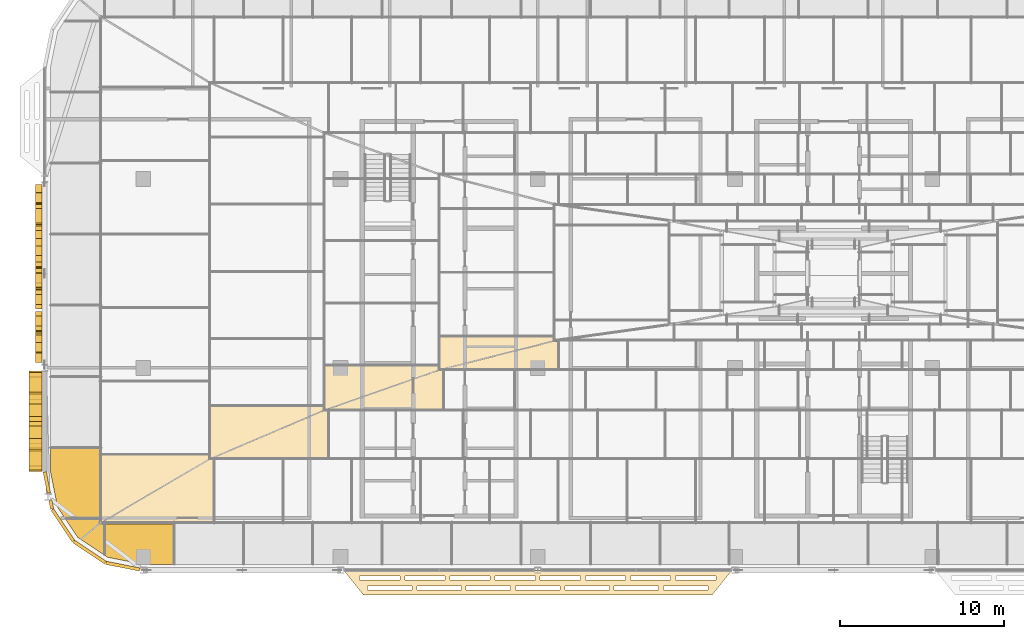
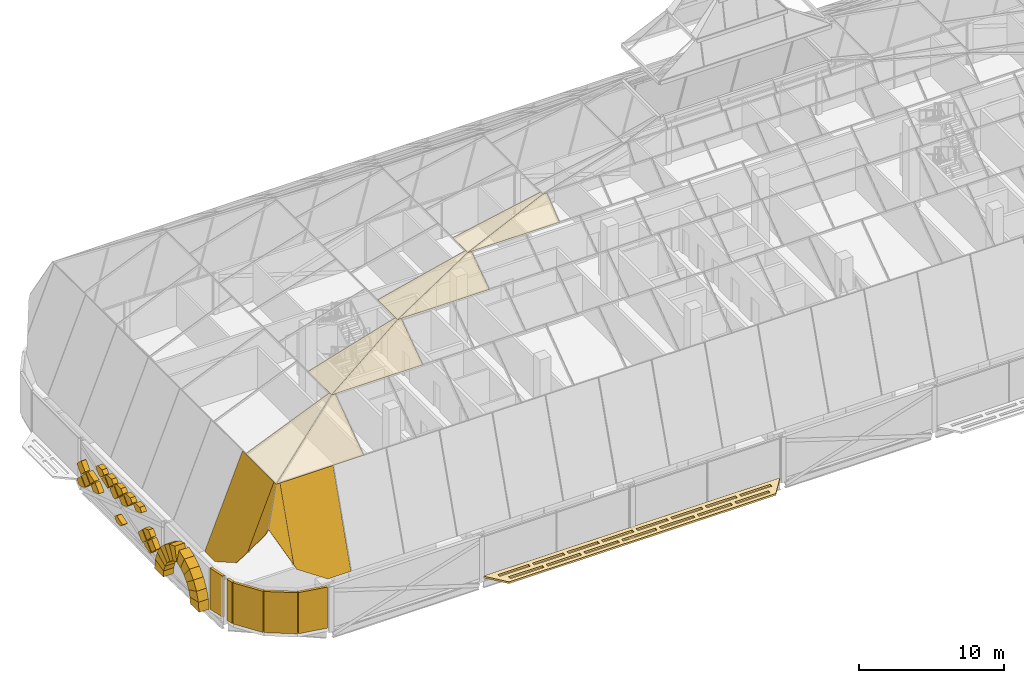
# One storey, part 34 of 39: 48 coverings.
"""IFC4 building model written with IfcOpenShell, lengths in metres."""

import ifcopenshell
import ifcopenshell.guid

model = None  # the IFC model being written
_history = None  # IfcOwnerHistory: only IFC2X3 demands one
_inside = {}  # id of a spatial element -> (the spatial element, [elements in it])
_under = {}  # id of a project, library or spatial element -> (it, [spatial elements below it])
_declared = {}  # id of a project -> (the project, [libraries it declares])
_typed = {}  # id of a type object -> (the type object, [elements of that type])
_made_of = {}  # id of a material, layer set ... -> (it, [elements and type objects made of it])


def new_model(schema):
    """Start an empty IFC model of exactly this schema.

    Asked for "IFC4X3", IfcOpenShell would pick the latest addendum, in which some entities
    have other attributes; the version numbers below select the first issue.
    IFC2X3 requires an IfcOwnerHistory on every rooted entity: one is made here for all.
    """
    global model, _history
    if schema == "IFC4X3":
        model = ifcopenshell.file(schema_version=(4, 3, 0, 0))
    else:
        model = ifcopenshell.file(schema=schema)
    _inside.clear()
    _under.clear()
    _declared.clear()
    _typed.clear()
    _made_of.clear()
    _history = None
    if model.schema == "IFC2X3":
        org = make("IfcOrganization", Name="unknown")
        user = make(
            "IfcPersonAndOrganization",
            ThePerson=make("IfcPerson", FamilyName="unknown"),
            TheOrganization=org,
        )
        app = make(
            "IfcApplication",
            ApplicationDeveloper=org,
            Version="unknown",
            ApplicationFullName="unknown",
            ApplicationIdentifier="unknown",
        )
        _history = make(
            "IfcOwnerHistory",
            OwningUser=user,
            OwningApplication=app,
            ChangeAction="ADDED",
            CreationDate=0,
        )
    return model


def make(cls, **values):
    """One entity of the class cls with the attributes given. An attribute that is None is left unset."""
    return model.create_entity(
        cls, **{name: value for name, value in values.items() if value is not None}
    )


def rooted(cls, **values):
    """An entity with a GlobalId (a new one), such as an element, a storey or a relation."""
    return make(cls, GlobalId=ifcopenshell.guid.new(), OwnerHistory=_history, **values)


def si_unit(unit_type, name, prefix=None):
    """IfcSIUnit, for example si_unit("LENGTHUNIT", "METRE", prefix="MILLI")."""
    return make("IfcSIUnit", UnitType=unit_type, Prefix=prefix, Name=name)


def assignment(units):
    """IfcUnitAssignment: the units of a project."""
    return None if units is None else make("IfcUnitAssignment", Units=units)


def point(xyz):
    """IfcCartesianPoint."""
    return None if xyz is None else make("IfcCartesianPoint", Coordinates=xyz)


def direction(xyz):
    """IfcDirection."""
    return None if xyz is None else make("IfcDirection", DirectionRatios=xyz)


def frame(location, z_axis=None, x_axis=None):
    """IfcAxis2Placement3D, a coordinate frame: its origin and axes. An axis left out is left unset."""
    return make(
        "IfcAxis2Placement3D",
        Location=point(location),
        Axis=direction(z_axis),
        RefDirection=direction(x_axis),
    )


def frame_2d(location, x_axis=None):
    """IfcAxis2Placement2D, a coordinate frame in the plane: its origin and x axis."""
    return make(
        "IfcAxis2Placement2D", Location=point(location), RefDirection=direction(x_axis)
    )


def origin():
    """The frame at (0, 0, 0) with its axes left unset."""
    return frame((0.0, 0.0, 0.0))


def origin_2d():
    """The frame at (0, 0) in the plane with its x axis left unset."""
    return frame_2d((0.0, 0.0))


def place(relative_to, where):
    """IfcLocalPlacement: puts the frame where relative to a parent placement (None: the world)."""
    return make(
        "IfcLocalPlacement", PlacementRelTo=relative_to, RelativePlacement=where
    )


def context(
    kind, dimensions, precision=None, world=None, true_north=None, identifier=None
):
    """IfcGeometricRepresentationContext, for example the 3D "Model" context."""
    return make(
        "IfcGeometricRepresentationContext",
        ContextIdentifier=identifier,
        ContextType=kind,
        CoordinateSpaceDimension=dimensions,
        Precision=precision,
        WorldCoordinateSystem=world,
        TrueNorth=true_north,
    )


def subcontext(parent, identifier, kind, view, scale=None):
    """IfcGeometricRepresentationSubContext, for example "Body" below "Model"."""
    return make(
        "IfcGeometricRepresentationSubContext",
        ContextIdentifier=identifier,
        ContextType=kind,
        ParentContext=parent,
        TargetScale=scale,
        TargetView=view,
    )


def project(units=None, contexts=None):
    """IfcProject with its units and contexts."""
    return rooted(
        "IfcProject",
        Name="project",
        RepresentationContexts=contexts,
        UnitsInContext=assignment(units),
    )


def spatial(cls, under=None, at=None, **own):
    """A site, building, storey or space (cls), placed at a placement, below another one or the project."""
    s = rooted(cls, ObjectPlacement=at, **own)
    if under is not None:
        _under.setdefault(under.id(), (under, []))[1].append(s)
    return s


def polyline(points):
    """IfcPolyline through the points."""
    return make("IfcPolyline", Points=[point(p) for p in points])


def profile(cls, at=None, kind="AREA", **sizes):
    """A parametric profile (cls). Its sizes go by their IFC names, for example OverallWidth=200.0."""
    return make(cls, ProfileType=kind, Position=at, **sizes)


def rectangle(**sizes):
    """IfcRectangleProfileDef."""
    return profile("IfcRectangleProfileDef", **sizes)


def outline(outer, holes=None, kind="AREA"):
    """IfcArbitraryClosedProfileDef: a profile drawn as a closed curve; with holes, ...WithVoids."""
    if holes is None:
        return make("IfcArbitraryClosedProfileDef", ProfileType=kind, OuterCurve=outer)
    return make(
        "IfcArbitraryProfileDefWithVoids",
        ProfileType=kind,
        OuterCurve=outer,
        InnerCurves=holes,
    )


def extrude(swept, where, along, depth):
    """IfcExtrudedAreaSolid: the profile swept, set in the frame where, extruded along a direction by depth."""
    return make(
        "IfcExtrudedAreaSolid",
        SweptArea=swept,
        Position=where,
        ExtrudedDirection=direction(along),
        Depth=depth,
    )


def shape(context_of_items, identifier, shape_type, items):
    """IfcShapeRepresentation: the items that make up one representation, for example the "Body"."""
    return make(
        "IfcShapeRepresentation",
        ContextOfItems=context_of_items,
        RepresentationIdentifier=identifier,
        RepresentationType=shape_type,
        Items=items,
    )


def material(Name=None, Category=None):
    """IfcMaterial."""
    return make("IfcMaterial", Name=Name, Category=Category)


def layer(
    of_material, thickness, ventilated=None, Name=None, Category=None, Priority=None
):
    """IfcMaterialLayer: one layer of a wall or slab, of a material (None: an air gap)."""
    return make(
        "IfcMaterialLayer",
        Material=of_material,
        LayerThickness=thickness,
        IsVentilated=ventilated,
        Name=Name,
        Category=Category,
        Priority=Priority,
    )


def layer_set(layers, Name=None):
    """IfcMaterialLayerSet."""
    return make("IfcMaterialLayerSet", MaterialLayers=layers, LayerSetName=Name)


def made_of(thing, what):
    """Note that an element or type object is made of a material, layer set ...; save() writes the relation."""
    if what is not None:
        _made_of.setdefault(what.id(), (what, []))[1].append(thing)
    return thing


def type_object(cls, material=None, **own):
    """A type object (cls), such as IfcWallType, which elements share."""
    return made_of(rooted(cls, **own), material)


def element(
    cls,
    number,
    at=None,
    inside=None,
    cuts=None,
    type_object=None,
    material=None,
    context=None,
    identifier="Body",
    shape_type=None,
    held_by="IfcProductDefinitionShape",
    body=None,
    shapes=None,
    **own,
):
    """One element of the class cls, such as IfcWall. Its Tag is "e" and its number.

    at: its placement. inside: the storey or other place that contains it. cuts: it is an
    opening in that element (IfcRelVoidsElement). A single representation is given by context,
    identifier, shape_type and body (its items); several are given by shapes. held_by: the class
    of the entity that holds the representations. save() writes the other relations.
    """
    e = rooted(cls, Tag="e%d" % number, ObjectPlacement=at, **own)
    if body is not None:
        shapes = [shape(context, identifier, shape_type, body)]
    if shapes is not None:
        e.Representation = make(held_by, Representations=shapes)
    if inside is not None:
        _inside.setdefault(inside.id(), (inside, []))[1].append(e)
    if cuts is not None:
        rooted(
            "IfcRelVoidsElement", RelatingBuildingElement=cuts, RelatedOpeningElement=e
        )
    if type_object is not None:
        _typed.setdefault(type_object.id(), (type_object, []))[1].append(e)
    return made_of(e, material)


def aggregate(whole, parts):
    """IfcRelAggregates: a whole, such as a stair, and the parts it consists of."""
    return rooted("IfcRelAggregates", RelatingObject=whole, RelatedObjects=parts)


def save(model, path):
    """Write the relations noted so far, then the file.

    IfcRelAggregates (storeys below a building ...), IfcRelContainedInSpatialStructure (elements
    in a storey), IfcRelDefinesByType, IfcRelAssociatesMaterial and IfcRelDeclares: one each for
    every whole, place, type object, material and project.
    """
    for whole, parts in _under.values():
        aggregate(whole, parts)
    for where, things in _inside.values():
        rooted(
            "IfcRelContainedInSpatialStructure",
            RelatedElements=things,
            RelatingStructure=where,
        )
    for kind, things in _typed.values():
        rooted("IfcRelDefinesByType", RelatedObjects=things, RelatingType=kind)
    for what, things in _made_of.values():
        rooted("IfcRelAssociatesMaterial", RelatedObjects=things, RelatingMaterial=what)
    for by, libraries in _declared.values():
        rooted("IfcRelDeclares", RelatingContext=by, RelatedDefinitions=libraries)
    model.write(path)


model = new_model("IFC4")

# Units and contexts
model_context = context("Model", 3, precision=1e-05, world=origin(), true_north=direction((0.0, 1.0)))
body_context = subcontext(model_context, "Body", "Model", "MODEL_VIEW")
ifc_project = project(units=[si_unit("LENGTHUNIT", "METRE"), si_unit("AREAUNIT", "SQUARE_METRE"), si_unit("VOLUMEUNIT", "CUBIC_METRE"), si_unit("PLANEANGLEUNIT", "RADIAN"), si_unit("MASSUNIT", "GRAM", prefix="KILO")], contexts=[model_context])

# Site, building, storey
site_placement = place(None, origin())
site = spatial("IfcSite", under=ifc_project, at=site_placement, CompositionType="ELEMENT")
building_placement = place(site_placement, origin())
building = spatial("IfcBuilding", under=site, at=building_placement, Name="Mahtab Terrace Research Tower", CompositionType="ELEMENT")
storey_placement = place(building_placement, frame((0.0, 0.0, 282.300048828125)))
storey = spatial("IfcBuildingStorey", under=building, at=storey_placement, Name="L69", CompositionType="ELEMENT", Elevation=282.300048828125)

# Coverings
ifc_material_1 = material(Name="Black aluminium cladding panel", Category="aluminium")
ifc_layer_1 = layer(ifc_material_1, 0.199951171875)
ifc_layer_set_1 = layer_set([ifc_layer_1], Name="Black metal corner cladding 200")
covering_type_1 = type_object("IfcCoveringType", Name="Black metal corner cladding 200", PredefinedType="CLADDING", material=ifc_layer_set_1)
covering_1_placement = place(storey_placement, frame((-47.8681640625, -6.96875, 0.0), z_axis=(0.0, 0.0, 1.0), x_axis=(0.195212442692, -0.980760981187, 0.0)))
element("IfcCovering", 1, at=covering_1_placement, inside=storey, type_object=covering_type_1, Name="Corner cladding L69 18", PredefinedType="CLADDING", context=body_context, shape_type="SweptSolid", body=[
    extrude(rectangle(XDim=1.309814453125, YDim=0.199951171875, at=origin_2d()), origin(), (0.0, 0.0, 1.0), 3.4599609375),
])
covering_2_placement = place(storey_placement, frame((-47.6005859375, -8.314208984375, 0.0), z_axis=(0.0, 0.0, 1.0), x_axis=(0.195212442692, -0.980760981187, 0.0)))
element("IfcCovering", 2, at=covering_2_placement, inside=storey, type_object=covering_type_1, Name="Corner cladding L69 19", PredefinedType="CLADDING", context=body_context, shape_type="SweptSolid", body=[
    extrude(rectangle(XDim=0.54931640625, YDim=0.199951171875, at=origin_2d()), origin(), (0.0, 0.0, 1.0), 3.4599609375),
])
for number, where, z_axis, x_axis, name in (
    (3, (-46.89306640625, -9.576416015625, 0.0), (0.0, 0.0, 1.0), (0.555291490808, -0.831655794326, 0.0), "Corner cladding L69 20"),
    (4, (-45.26953125, -11.199951171875, 0.0), (0.0, 0.0, 1.0), (0.831655794326, -0.555291490808, 0.0), "Corner cladding L69 21"),
):
    element("IfcCovering", number, at=place(storey_placement, frame(where, z_axis=z_axis, x_axis=x_axis)), inside=storey, type_object=covering_type_1, Name=name, PredefinedType="CLADDING", context=body_context, shape_type="SweptSolid", body=[
        extrude(rectangle(XDim=2.30126953125, YDim=0.199951171875, at=origin_2d()), origin(), (0.0, 0.0, 1.0), 3.4599609375),
    ])
covering_3_placement = place(storey_placement, frame((-43.24658203125, -12.058837890625, 0.0), z_axis=(0.0, 0.0, 1.0), x_axis=(0.980760981187, -0.195212442692, 0.0)))
element("IfcCovering", 5, at=covering_3_placement, inside=storey, type_object=covering_type_1, Name="Corner cladding L69 22", PredefinedType="CLADDING", context=body_context, shape_type="SweptSolid", body=[
    extrude(rectangle(XDim=2.10009765625, YDim=0.199951171875, at=origin_2d()), origin(), (0.0, 0.0, 1.0), 3.4599609375),
])
ifc_material_2 = material(Name="Turquoise ceramic tile cladding", Category="ceramic")
ifc_layer_2 = layer(ifc_material_2, 0.0400390625)
ifc_layer_set_2 = layer_set([ifc_layer_2], Name="Crown hip cladding panel")
covering_type_2 = type_object("IfcCoveringType", Name="Crown hip cladding panel", PredefinedType="CLADDING", material=ifc_layer_set_2)
covering_4_placement = place(storey_placement, frame((-44.34814453125, -9.47802734375, 11.199951171875), z_axis=(9.9487165e-05, -0.948215328167, 0.317628212744), x_axis=(4.92e-10, -0.317628214316, -0.94821533286)))
element("IfcCovering", 6, at=covering_4_placement, inside=storey, type_object=covering_type_2, Name="CWC-S1 hip cladding 1", PredefinedType="CLADDING", context=body_context, shape_type="SweptSolid", body=[
    extrude(outline(polyline([(0.0, 0.0), (6.033116585385063, 0.0), (2.987259560050445, -1.4489746180150327), (-1.4745830399125627e-10, -0.2998046860163122), (0.0, 0.0)])), origin(), (0.0, 0.0, -1.0), 0.0400390625),
])
covering_5_placement = place(storey_placement, frame((-40.12451171875, -11.95703125, 3.800048828125), z_axis=(-2.2655272e-05, -0.948208049085, 0.317649956929), x_axis=(-0.999999999743, 2.1481912e-05, -7.196446e-06)))
element("IfcCovering", 7, at=covering_5_placement, inside=storey, type_object=covering_type_2, Name="CWC-S1 hip cladding 2", PredefinedType="CLADDING", context=body_context, shape_type="SweptSolid", body=[
    extrude(outline(polyline([(0.0, 0.0), (1.8410644526525266, -1.5594422498155954e-21), (4.03491211061323, -1.374696911244208), (4.223632815968986, -1.7709858677222043), (4.223632812159108, -7.804102450837243), (7.430215553816551e-10, -7.804102450837243), (0.0, 0.0)])), origin(), (0.0, 0.0, -1.0), 0.0400390625),
])
covering_6_placement = place(storey_placement, frame((-37.97705078125, -5.564697265625, 14.0), z_axis=(0.0, -0.581900322077, 0.813260115318), x_axis=(1.0, 0.0, 0.0)))
element("IfcCovering", 8, at=covering_6_placement, inside=storey, type_object=covering_type_2, Name="CWC-S2 hip cladding 1", PredefinedType="CLADDING", context=body_context, shape_type="SweptSolid", body=[
    extrude(outline(polyline([(0.0, 0.0), (0.300048828125, 0.0), (0.300048828125, -4.811904585529726), (-6.6708984375, -4.811904585529726), (0.0, 0.0)])), origin(), (0.0, 0.0, -1.0), 0.0400390625),
])
covering_7_placement = place(storey_placement, frame((-31.020263671875, -2.607666015625, 16.099853515625), z_axis=(0.0, -0.578988154945, 0.81533595311), x_axis=(1.0, 0.0, 0.0)))
element("IfcCovering", 9, at=covering_7_placement, inside=storey, type_object=covering_type_2, Name="CWC-S3 hip cladding 1", PredefinedType="CLADDING", context=body_context, shape_type="SweptSolid", body=[
    extrude(outline(polyline([(0.0, 0.0), (0.300048828125, 0.0), (0.300048828125, -3.6267642052605558), (-6.956787109375, -3.6267642052605558), (0.0, 0.0)])), origin(), (0.0, 0.0, -1.0), 0.0400390625),
])
covering_8_placement = place(storey_placement, frame((-24.015625, -0.146484375, 17.800048828125), z_axis=(0.0, -0.568373610544, 0.822770587003), x_axis=(1.0, 0.0, 0.0)))
element("IfcCovering", 10, at=covering_8_placement, inside=storey, type_object=covering_type_2, Name="CWC-S4 hip cladding 1", PredefinedType="CLADDING", context=body_context, shape_type="SweptSolid", body=[
    extrude(outline(polyline([(0.0, 0.0), (0.300048828125, 0.0), (0.300048828125, -2.991334011573522), (-7.004638671875, -2.991334011573522), (0.0, 0.0)])), origin(), (0.0, 0.0, -1.0), 0.0400390625),
])
covering_9_placement = place(storey_placement, frame((-17.010986328125, 1.624267578125, 19.199951171875), z_axis=(0.0, -0.620173675122, 0.784464538832), x_axis=(1.0, 0.0, 0.0)))
element("IfcCovering", 11, at=covering_9_placement, inside=storey, type_object=covering_type_2, Name="CWC-S5 hip cladding 1", PredefinedType="CLADDING", context=body_context, shape_type="SweptSolid", body=[
    extrude(outline(polyline([(0.0, 0.0), (0.300048828125, 0.0), (0.300048828125, -2.257274695630274), (-7.004638671875, -2.257274695630274), (0.0, 0.0)])), origin(), (0.0, 0.0, -1.0), 0.0400390625),
])
covering_10_placement = place(storey_placement, frame((-44.64794921875, -9.177978515625, 11.199951171875), z_axis=(-0.926652215436, -5.0140299e-05, 0.375919764195), x_axis=(4.6462619e-05, -0.999999998743, -1.8848729e-05)))
element("IfcCovering", 12, at=covering_10_placement, inside=storey, type_object=covering_type_2, Name="CWC-W1 hip cladding 1", PredefinedType="CLADDING", context=body_context, shape_type="SweptSolid", body=[
    extrude(outline(polyline([(0.0, 0.0), (0.3000488277478312, 0.0), (1.2490234318796258, -3.056756188793857), (1.1196289086103526, -3.5715039634168653), (-7.168067233377065e-09, -5.560227881894429), (0.0, 0.0)])), origin(), (0.0, 0.0, -1.0), 0.0400390625),
])
covering_11_placement = place(storey_placement, frame((-44.64794921875, -4.851318359375, 11.199951171875), z_axis=(-0.926649360142, 2.0780954e-05, 0.375926805264), x_axis=(-1.9256658e-05, -0.999999999784, 7.812118e-06)))
element("IfcCovering", 13, at=covering_11_placement, inside=storey, type_object=covering_type_2, Name="CWC-W1 hip cladding 2", PredefinedType="CLADDING", context=body_context, shape_type="SweptSolid", body=[
    extrude(outline(polyline([(0.0, 0.0), (4.32666015531577, 0.0), (4.326660157408696, -5.560227882820143), (3.615234376001662, -6.82406834785046), (1.4211425764942927, -7.985629421509346), (-1.3238485112627312e-09, -7.985629421509346), (0.0, 0.0)])), origin(), (0.0, 0.0, -1.0), 0.0400390625),
])
covering_12_placement = place(storey_placement, frame((-44.64794921875, -5.264892578125, 11.199951171875), z_axis=(-0.387029381179, 0.0, 0.922067382627), x_axis=(0.922067382627, 0.0, 0.387029381179)))
element("IfcCovering", 14, at=covering_12_placement, inside=storey, type_object=covering_type_2, Name="CWC-W2 hip cladding 1", PredefinedType="CLADDING", context=body_context, shape_type="SweptSolid", body=[
    extrude(outline(polyline([(0.0, 0.0), (7.234719027254903, 0.0), (7.234719027254903, -0.2998046875), (0.0, -4.213134765625), (0.0, 0.0)])), origin(), (0.0, 0.0, -1.0), 0.0400390625),
])
covering_13_placement = place(storey_placement, frame((-37.97705078125, -2.3076171875, 14.0), z_axis=(-0.288965667694, 0.0, 0.957339460638), x_axis=(0.957339460638, 0.0, 0.288965667694)))
element("IfcCovering", 15, at=covering_13_placement, inside=storey, type_object=covering_type_2, Name="CWC-W3 hip cladding 1", PredefinedType="CLADDING", context=body_context, shape_type="SweptSolid", body=[
    extrude(outline(polyline([(0.0, 0.0), (7.266792392262824, 0.0), (7.266792392262824, -0.30004882812500006), (0.0, -3.257080078125001), (0.0, 0.0)])), origin(), (0.0, 0.0, -1.0), 0.0400390625),
])
covering_14_placement = place(storey_placement, frame((-31.020263671875, 0.153564453125, 16.099853515625), z_axis=(-0.235875329175, 0.0, 0.971783324145), x_axis=(0.971783324145, 0.0, 0.235875329175)))
element("IfcCovering", 16, at=covering_14_placement, inside=storey, type_object=covering_type_2, Name="CWC-W4 hip cladding 1", PredefinedType="CLADDING", context=body_context, shape_type="SweptSolid", body=[
    extrude(outline(polyline([(0.0, 0.0), (7.208025181988041, 0.0), (7.208025181988041, -0.300048828125), (0.0, -2.76123046875), (0.0, 0.0)])), origin(), (0.0, 0.0, -1.0), 0.0400390625),
])
covering_15_placement = place(storey_placement, frame((-24.015625, 1.92431640625, 17.800048828125), z_axis=(-0.195978105633, 0.0, 0.980608271489), x_axis=(0.980608271489, 0.0, 0.195978105633)))
element("IfcCovering", 17, at=covering_15_placement, inside=storey, type_object=covering_type_2, Name="CWC-W5 hip cladding 1", PredefinedType="CLADDING", context=body_context, shape_type="SweptSolid", body=[
    extrude(outline(polyline([(0.0, 0.0), (7.143156829831157, 0.0), (7.143156829831157, -0.30004882812499994), (0.0, -2.0708007812499996), (0.0, 0.0)])), origin(), (0.0, 0.0, -1.0), 0.0400390625),
])
ifc_material_3 = material(Name="Black anodised aluminium", Category="aluminium")
ifc_layer_3 = layer(ifc_material_3, 0.14990234375)
ifc_layer_set_3 = layer_set([ifc_layer_3], Name="Horizontal sunshade band")
covering_type_3 = type_object("IfcCoveringType", Name="Horizontal sunshade band", PredefinedType="CLADDING", material=ifc_layer_set_3)
covering_16_placement = place(storey_placement, frame((0.0, 0.0, -0.150146484375)))
element("IfcCovering", 18, at=covering_16_placement, inside=storey, type_object=covering_type_3, Name="Sunshade band L69 24", PredefinedType="CLADDING", context=body_context, shape_type="SweptSolid", body=[
    extrude(outline(polyline([(-29.81201171875, -12.306884765625), (-6.18798828125, -12.306884765625), (-7.387939453125, -13.806884765625), (-28.612060546875, -13.806884765625), (-29.81201171875, -12.306884765625)]), holes=[polyline([(-28.83203125, -12.656982421875), (-26.386962890625, -12.656982421875), (-26.386962890625, -12.906982421875), (-28.83203125, -12.906982421875), (-28.83203125, -12.656982421875)]), polyline([(-26.0869140625, -12.656982421875), (-23.64111328125, -12.656982421875), (-23.64111328125, -12.906982421875), (-26.0869140625, -12.906982421875), (-26.0869140625, -12.656982421875)]), polyline([(-23.341064453125, -12.656982421875), (-20.89599609375, -12.656982421875), (-20.89599609375, -12.906982421875), (-23.341064453125, -12.906982421875), (-23.341064453125, -12.656982421875)]), polyline([(-20.595947265625, -12.656982421875), (-18.14990234375, -12.656982421875), (-18.14990234375, -12.906982421875), (-20.595947265625, -12.906982421875), (-20.595947265625, -12.656982421875)]), polyline([(-17.85009765625, -12.656982421875), (-15.405029296875, -12.656982421875), (-15.405029296875, -12.906982421875), (-17.85009765625, -12.906982421875), (-17.85009765625, -12.656982421875)]), polyline([(-15.10498046875, -12.656982421875), (-12.658935546875, -12.656982421875), (-12.658935546875, -12.906982421875), (-15.10498046875, -12.906982421875), (-15.10498046875, -12.656982421875)]), polyline([(-12.35888671875, -12.656982421875), (-9.9130859375, -12.656982421875), (-9.9130859375, -12.906982421875), (-12.35888671875, -12.906982421875), (-12.35888671875, -12.656982421875)]), polyline([(-9.614013671875, -12.656982421875), (-7.16796875, -12.656982421875), (-7.16796875, -12.906982421875), (-9.614013671875, -12.906982421875), (-9.614013671875, -12.656982421875)]), polyline([(-28.35205078125, -13.257080078125), (-25.65087890625, -13.257080078125), (-25.65087890625, -13.507080078125), (-28.35205078125, -13.507080078125), (-28.35205078125, -13.257080078125)]), polyline([(-25.35107421875, -13.257080078125), (-22.65087890625, -13.257080078125), (-22.65087890625, -13.507080078125), (-25.35107421875, -13.507080078125), (-25.35107421875, -13.257080078125)]), polyline([(-22.35107421875, -13.257080078125), (-19.64990234375, -13.257080078125), (-19.64990234375, -13.507080078125), (-22.35107421875, -13.507080078125), (-22.35107421875, -13.257080078125)]), polyline([(-19.35009765625, -13.257080078125), (-16.64990234375, -13.257080078125), (-16.64990234375, -13.507080078125), (-19.35009765625, -13.507080078125), (-19.35009765625, -13.257080078125)]), polyline([(-16.35009765625, -13.257080078125), (-13.64892578125, -13.257080078125), (-13.64892578125, -13.507080078125), (-16.35009765625, -13.507080078125), (-16.35009765625, -13.257080078125)]), polyline([(-13.34912109375, -13.257080078125), (-10.64892578125, -13.257080078125), (-10.64892578125, -13.507080078125), (-13.34912109375, -13.507080078125), (-13.34912109375, -13.257080078125)]), polyline([(-10.34912109375, -13.257080078125), (-7.64794921875, -13.257080078125), (-7.64794921875, -13.507080078125), (-10.34912109375, -13.507080078125), (-10.34912109375, -13.257080078125)])]), origin(), (0.0, 0.0, 1.0), 0.150146484375),
])
ifc_material_4 = material(Name="Bronze anodised aluminium", Category="aluminium")
ifc_layer_4 = layer(ifc_material_4, 0.39990234375)
ifc_layer_set_4 = layer_set([ifc_layer_4], Name="Mashrabiya relief panel 400")
covering_type_4 = type_object("IfcCoveringType", Name="Mashrabiya relief panel 400", PredefinedType="CLADDING", material=ifc_layer_set_4)
covering_17_placement = place(storey_placement, frame((-48.14990234375, 11.177001953125, 0.385009765625), z_axis=(1.0, 0.0, 0.0), x_axis=(0.0, 0.0, 1.0)))
element("IfcCovering", 19, at=covering_17_placement, inside=storey, type_object=covering_type_4, Name="Mashrabiya lattice cell L69 W16.1", PredefinedType="CLADDING", context=body_context, shape_type="SweptSolid", body=[
    extrude(outline(polyline([(0.0, 0.0), (0.1298828125, 0.0), (0.64501953125, 0.514892578125), (0.06494140625, 1.094970703125), (-0.027099609375, 1.0029296875), (-0.25, 0.327880859375), (-0.25, 0.25), (0.0, 0.0)])), origin(), (0.0, 0.0, -1.0), 0.39990234375),
])
covering_18_placement = place(storey_placement, frame((-48.14990234375, 10.08203125, 1.75), z_axis=(1.0, 0.0, 0.0), x_axis=(0.0, 0.707106781187, -0.707106781187)))
element("IfcCovering", 20, at=covering_18_placement, inside=storey, type_object=covering_type_4, Name="Mashrabiya lattice cell L69 W16.2", PredefinedType="CLADDING", context=body_context, shape_type="SweptSolid", body=[
    extrude(outline(polyline([(0.0, 0.0), (0.8203543516109556, 0.0), (0.820181718119455, 0.7283407006411241), (0.7283407006411241, 0.820181718119455), (0.014155946303051004, 0.8203543516109555), (0.0001726334915006511, 0.790488757581348), (0.0, 0.0)])), origin(), (0.0, 0.0, -1.0), 0.39990234375),
])
covering_19_placement = place(storey_placement, frame((-48.14990234375, 10.011962890625, 1.679931640625), z_axis=(1.0, 0.0, 0.0), x_axis=(0.0, -0.707106781187, -0.707106781187)))
element("IfcCovering", 21, at=covering_19_placement, inside=storey, type_object=covering_type_4, Name="Mashrabiya lattice cell L69 W16.3", PredefinedType="CLADDING", context=body_context, shape_type="SweptSolid", body=[
    extrude(outline(polyline([(0.0, 0.0), (0.8203543516109556, 0.0), (0.820181718119455, 0.820181718119455), (0.0, 0.8203543516109556), (0.0, 0.0)])), origin(), (0.0, 0.0, -1.0), 0.39990234375),
])
covering_20_placement = place(storey_placement, frame((-48.14990234375, 9.362060546875, 1.169921875), z_axis=(1.0, 0.0, 0.0), x_axis=(0.0, 0.706957932274, 0.707255598772)))
element("IfcCovering", 22, at=covering_20_placement, inside=storey, type_object=covering_type_4, Name="Mashrabiya lattice cell L69 W16.4", PredefinedType="CLADDING", context=body_context, shape_type="SweptSolid", body=[
    extrude(outline(polyline([(0.0, 0.0), (0.8201817362875763, 0.0), (0.8204278779936426, 0.3492375092334373), (0.00016046084647014514, 0.7623494815796865), (0.0, 0.0)])), origin(), (0.0, 0.0, -1.0), 0.39990234375),
])
covering_21_placement = place(storey_placement, frame((-48.14990234375, 9.2919921875, 1.099853515625), z_axis=(1.0, 0.0, 0.0), x_axis=(0.0, -0.706956412923, 0.70725711748)))
element("IfcCovering", 23, at=covering_21_placement, inside=storey, type_object=covering_type_4, Name="Mashrabiya lattice cell L69 W16.5", PredefinedType="CLADDING", context=body_context, shape_type="SweptSolid", body=[
    extrude(outline(polyline([(0.0, 0.0), (0.8118953288809749, -5.551115123125783e-17), (0.8200073041502244, 0.8203560950069448), (0.6787931112949765, 0.8203260685997887), (7.069787308400244e-05, 0.47940323176702965), (0.0, 0.0)])), origin(), (0.0, 0.0, -1.0), 0.39990234375),
])
covering_22_placement = place(storey_placement, frame((-48.14990234375, 8.64208984375, 3.050048828125), z_axis=(1.0, 0.0, 0.0), x_axis=(0.0, -0.707420562716, 0.706792860353)))
element("IfcCovering", 24, at=covering_22_placement, inside=storey, type_object=covering_type_4, Name="Mashrabiya lattice cell L69 W16.6", PredefinedType="CLADDING", context=body_context, shape_type="SweptSolid", body=[
    extrude(outline(polyline([(0.0, 0.0), (0.38894329466281496, 0.0), (0.820373120264542, 0.4310470129791878), (0.8207183872135335, 0.8199901543943556), (0.1218980824546178, 0.8203003276321537), (0.0002574560471840792, 0.5800484743058194), (0.0, 0.0)])), origin(), (0.0, 0.0, -1.0), 0.39990234375),
])
covering_23_placement = place(storey_placement, frame((-48.14990234375, 7.412109375, 2.97998046875), z_axis=(1.0, 0.0, 0.0), x_axis=(0.0, -0.707106781187, -0.707106781187)))
element("IfcCovering", 25, at=covering_23_placement, inside=storey, type_object=covering_type_4, Name="Mashrabiya lattice cell L69 W16.7", PredefinedType="CLADDING", context=body_context, shape_type="SweptSolid", body=[
    extrude(outline(polyline([(0.0, 0.0), (0.8203543516109556, 0.0), (0.8203543516109556, 0.23616261637285085), (0.0, 0.6491019280423386), (0.0, 0.0)])), origin(), (0.0, 0.0, -1.0), 0.39990234375),
])
covering_24_placement = place(storey_placement, frame((-48.14990234375, 6.181884765625, 3.050048828125), z_axis=(1.0, 0.0, 0.0), x_axis=(0.0, 0.707106781187, -0.707106781187)))
element("IfcCovering", 26, at=covering_24_placement, inside=storey, type_object=covering_type_4, Name="Mashrabiya lattice cell L69 W16.8", PredefinedType="CLADDING", context=body_context, shape_type="SweptSolid", body=[
    extrude(outline(polyline([(0.0, 0.0), (0.8203543516109556, 0.0), (0.8203543516109556, 0.8203543516109556), (0.43141109526005433, 0.8201817181194551), (0.00017263349150062335, 0.3889432563509013), (0.0, 0.0)])), origin(), (0.0, 0.0, -1.0), 0.39990234375),
])
covering_25_placement = place(storey_placement, frame((-48.14990234375, 6.69189453125, 2.39990234375), z_axis=(1.0, 0.0, 0.0), x_axis=(0.0, -0.706957932274, 0.707255598772)))
element("IfcCovering", 27, at=covering_25_placement, inside=storey, type_object=covering_type_4, Name="Mashrabiya lattice cell L69 W16.9", PredefinedType="CLADDING", context=body_context, shape_type="SweptSolid", body=[
    extrude(outline(polyline([(0.0, 0.0), (0.8201817362875763, 0.0), (0.8200090664636573, 0.8203543334390104), (0.12705824692994772, 0.820208479761988), (-0.00011932822006521793, 0.5669283735298212), (0.0, 0.0)])), origin(), (0.0, 0.0, -1.0), 0.39990234375),
])
covering_26_placement = place(storey_placement, frame((-48.14990234375, 6.0419921875, 0.449951171875), z_axis=(1.0, 0.0, 0.0), x_axis=(0.0, -0.707106781187, 0.707106781187)))
element("IfcCovering", 28, at=covering_26_placement, inside=storey, type_object=covering_type_4, Name="Mashrabiya lattice cell L69 W16.10", PredefinedType="CLADDING", context=body_context, shape_type="SweptSolid", body=[
    extrude(outline(polyline([(0.0, 0.0), (0.3097044837521158, 0.0), (0.37823997987786273, 0.034699331791625015), (0.773570675414287, 0.8201817181194551), (0.3747873100478503, 0.8201817181194551), (0.0, 0.4453944080716047), (0.0, 0.0)])), origin(), (0.0, 0.0, -1.0), 0.39990234375),
])
covering_27_placement = place(storey_placement, frame((-48.14990234375, 4.882080078125, 3.050048828125), z_axis=(1.0, 0.0, 0.0), x_axis=(0.0, 0.706957932274, -0.707255598772)))
element("IfcCovering", 29, at=covering_27_placement, inside=storey, type_object=covering_type_4, Name="Mashrabiya lattice cell L69 W16.11", PredefinedType="CLADDING", context=body_context, shape_type="SweptSolid", body=[
    extrude(outline(polyline([(0.0, 0.0), (0.8201817362875763, 0.0), (0.8200090664636573, 0.8203543334390104), (0.43123845221604545, 0.8202725042211095), (-8.182921790098052e-05, 0.38877061424761183), (0.0, 0.0)])), origin(), (0.0, 0.0, -1.0), 0.39990234375),
])
covering_28_placement = place(storey_placement, frame((-48.14990234375, 5.39208984375, 2.39990234375), z_axis=(1.0, 0.0, 0.0), x_axis=(0.0, -0.707106781187, 0.707106781187)))
element("IfcCovering", 30, at=covering_28_placement, inside=storey, type_object=covering_type_4, Name="Mashrabiya lattice cell L69 W16.12", PredefinedType="CLADDING", context=body_context, shape_type="SweptSolid", body=[
    extrude(outline(polyline([(0.0, 0.0), (0.8203543516109556, 0.0), (0.8203543516109556, 0.8203543516109556), (0.6547988332618592, 0.820181718119455), (0.00017263349150062335, 0.49079701633626827), (0.0, 0.0)])), origin(), (0.0, 0.0, -1.0), 0.39990234375),
])
covering_29_placement = place(storey_placement, frame((-48.14990234375, 3.58203125, 3.050048828125), z_axis=(1.0, 0.0, 0.0), x_axis=(0.0, 0.707106781187, -0.707106781187)))
element("IfcCovering", 31, at=covering_29_placement, inside=storey, type_object=covering_type_4, Name="Mashrabiya lattice cell L69 W16.13", PredefinedType="CLADDING", context=body_context, shape_type="SweptSolid", body=[
    extrude(outline(polyline([(0.0, 0.0), (0.8203543516109556, 0.0), (0.820181718119455, 0.820181718119455), (0.43141109526005433, 0.8201817181194551), (0.0, 0.38877062285940067), (0.0, 0.0)])), origin(), (0.0, 0.0, -1.0), 0.39990234375),
])
covering_30_placement = place(storey_placement, frame((-48.14990234375, 3.44189453125, 3.050048828125), z_axis=(1.0, 0.0, 0.0), x_axis=(0.0, -0.707106781187, 0.707106781187)))
element("IfcCovering", 32, at=covering_30_placement, inside=storey, type_object=covering_type_4, Name="Mashrabiya lattice cell L69 W16.14", PredefinedType="CLADDING", context=body_context, shape_type="SweptSolid", body=[
    extrude(outline(polyline([(0.0, 0.0), (0.38877062285940067, 0.0), (0.8201817181194551, 0.43141109526005433), (0.820181718119455, 0.820181718119455), (0.6420239548908131, 0.8201817181194551), (-0.00017263349150062335, 0.4963212880642881), (0.0, 0.0)])), origin(), (0.0, 0.0, -1.0), 0.39990234375),
])
covering_31_placement = place(storey_placement, frame((-48.14990234375, 2.7919921875, 1.099853515625), z_axis=(1.0, 0.0, 0.0), x_axis=(0.0, -0.707106781187, 0.707106781187)))
element("IfcCovering", 33, at=covering_31_placement, inside=storey, type_object=covering_type_4, Name="Mashrabiya lattice cell L69 W16.15", PredefinedType="CLADDING", context=body_context, shape_type="SweptSolid", body=[
    extrude(outline(polyline([(0.0, 0.0), (0.8203543516109556, 0.0), (0.820181718119455, 0.820181718119455), (0.1386246936749994, 0.820181718119455), (0.0, 0.5444860321929617), (0.0, 0.0)])), origin(), (0.0, 0.0, -1.0), 0.39990234375),
])
covering_32_placement = place(storey_placement, frame((-48.14990234375, 1.56201171875, 1.030029296875), z_axis=(1.0, 0.0, 0.0), x_axis=(0.0, -0.707106781187, -0.707106781187)))
element("IfcCovering", 34, at=covering_32_placement, inside=storey, type_object=covering_type_4, Name="Mashrabiya lattice cell L69 W16.16", PredefinedType="CLADDING", context=body_context, shape_type="SweptSolid", body=[
    extrude(outline(polyline([(0.0, 0.0), (0.8203543516109556, 0.0), (0.8203543516109556, 0.21924453420578993), (0.0, 0.6308027779432727), (0.0, 0.0)])), origin(), (0.0, 0.0, -1.0), 0.39990234375),
])
covering_33_placement = place(storey_placement, frame((-48.14990234375, 0.98193359375, 1.75), z_axis=(1.0, 0.0, 0.0), x_axis=(0.0, 0.707106781187, -0.707106781187)))
element("IfcCovering", 35, at=covering_33_placement, inside=storey, type_object=covering_type_4, Name="Mashrabiya lattice cell L69 W16.17", PredefinedType="CLADDING", context=body_context, shape_type="SweptSolid", body=[
    extrude(outline(polyline([(0.0, 0.0), (0.8203543516109556, 0.0), (0.8203543516109556, 0.8203543516109556), (0.5346459231774262, 0.820181718119455), (0.0001726334915005956, 0.5515640053444872), (0.0, 0.0)])), origin(), (0.0, 0.0, -1.0), 0.39990234375),
])
covering_34_placement = place(storey_placement, frame((-48.14990234375, 0.912109375, 1.679931640625), z_axis=(1.0, 0.0, 0.0), x_axis=(0.0, -0.707106781187, -0.707106781187)))
element("IfcCovering", 36, at=covering_34_placement, inside=storey, type_object=covering_type_4, Name="Mashrabiya lattice cell L69 W16.18", PredefinedType="CLADDING", context=body_context, shape_type="SweptSolid", body=[
    extrude(outline(polyline([(0.0, 0.0), (0.8203543516109556, 0.0), (0.820181718119455, 0.820181718119455), (0.0001726334915006511, 0.820181718119455), (0.0, 0.0)])), origin(), (0.0, 0.0, -1.0), 0.39990234375),
])
ifc_material_5 = material(Name="Glazed ceramic tile cladding", Category="masonry")
ifc_layer_5 = layer(ifc_material_5, 0.800048828125)
ifc_layer_set_5 = layer_set([ifc_layer_5], Name="Pishtaq frame arch course 800")
covering_type_5 = type_object("IfcCoveringType", Name="Pishtaq frame arch course 800", PredefinedType="CLADDING", material=ifc_layer_set_5)
covering_35_placement = place(storey_placement, frame((-48.14990234375, -0.18798828125, 0.0), z_axis=(1.0, 0.0, 0.0), x_axis=(0.0, -0.110564512806, 0.993868949363)))
element("IfcCovering", 37, at=covering_35_placement, inside=storey, type_object=covering_type_5, Name="Pishtaq frame arch course 17a1", PredefinedType="CLADDING", context=body_context, shape_type="SweptSolid", body=[
    extrude(outline(polyline([(0.0, 0.0), (0.8059668139732152, 0.0), (0.673856627451179, 1.1928183657104796), (0.13267201670971654, 1.1925942104783012), (0.0, 0.0)])), origin(), (0.0, 0.0, -1.0), 0.800048828125),
])
covering_36_placement = place(storey_placement, frame((-48.14990234375, -0.277099609375, 0.801025390625), z_axis=(1.0, 0.0, 0.0), x_axis=(0.0, -0.325122109201, 0.945672043633)))
element("IfcCovering", 38, at=covering_36_placement, inside=storey, type_object=covering_type_5, Name="Pishtaq frame arch course 17a2", PredefinedType="CLADDING", context=body_context, shape_type="SweptSolid", body=[
    extrude(outline(polyline([(0.0, 0.0), (0.805736931482113, -2.7755575615628914e-17), (0.673409218986799, 1.192785183919892), (0.13179960270857674, 1.1928527233841435), (0.0, 0.0)])), origin(), (0.0, 0.0, -1.0), 0.800048828125),
])
covering_37_placement = place(storey_placement, frame((-48.14990234375, -0.5390625, 1.56298828125), z_axis=(1.0, 0.0, 0.0), x_axis=(0.0, -0.524705788132, 0.851283640099)))
element("IfcCovering", 39, at=covering_37_placement, inside=storey, type_object=covering_type_5, Name="Pishtaq frame arch course 17a3", PredefinedType="CLADDING", context=body_context, shape_type="SweptSolid", body=[
    extrude(outline(polyline([(0.0, 0.0), (0.8058831674130273, 5.551115123125783e-17), (0.6739994967569919, 1.1926049079365602), (0.13262831899696664, 1.1927517962564935), (0.0, 0.0)])), origin(), (0.0, 0.0, -1.0), 0.800048828125),
])
covering_38_placement = place(storey_placement, frame((-48.14990234375, -0.9619140625, 2.2490234375), z_axis=(1.0, 0.0, 0.0), x_axis=(0.0, -0.698422248793, 0.715685938377)))
element("IfcCovering", 40, at=covering_38_placement, inside=storey, type_object=covering_type_5, Name="Pishtaq frame arch course 17a4", PredefinedType="CLADDING", context=body_context, shape_type="SweptSolid", body=[
    extrude(outline(polyline([(0.0, 0.0), (0.8060858344975845, 0.0), (0.6734344423383976, 1.1927480560508066), (0.13253604061488444, 1.1925325852815134), (0.0, 0.0)])), origin(), (0.0, 0.0, -1.0), 0.800048828125),
])
covering_39_placement = place(storey_placement, frame((-48.14990234375, -1.52490234375, 2.825927734375), z_axis=(1.0, 0.0, 0.0), x_axis=(0.0, -0.838699568751, 0.544594375087)))
element("IfcCovering", 41, at=covering_39_placement, inside=storey, type_object=covering_type_5, Name="Pishtaq frame arch course 17a5", PredefinedType="CLADDING", context=body_context, shape_type="SweptSolid", body=[
    extrude(outline(polyline([(0.0, 0.0), (0.8060399883493037, 0.0), (0.6743346042666462, 1.1926743619578093), (0.13286702541349793, 1.1927240546800912), (0.0, 0.0)])), origin(), (0.0, 0.0, -1.0), 0.800048828125),
])
covering_40_placement = place(storey_placement, frame((-48.14990234375, -2.200927734375, 3.264892578125), z_axis=(1.0, 0.0, 0.0), x_axis=(0.0, -0.937357512601, 0.348368904425)))
element("IfcCovering", 42, at=covering_40_placement, inside=storey, type_object=covering_type_5, Name="Pishtaq frame arch course 17a6", PredefinedType="CLADDING", context=body_context, shape_type="SweptSolid", body=[
    extrude(outline(polyline([(0.0, 0.0), (0.8066330140426728, 5.551115123125783e-17), (0.6735553146054026, 1.193438912159941), (0.13183533410487924, 1.1926600045902784), (0.0, 0.0)])), origin(), (0.0, 0.0, -1.0), 0.800048828125),
])
covering_41_placement = place(storey_placement, frame((-48.14990234375, -5.10693359375, 0.0), z_axis=(1.0, 0.0, 0.0), x_axis=(0.0, 0.110530557385, 0.9938727262)))
element("IfcCovering", 43, at=covering_41_placement, inside=storey, type_object=covering_type_5, Name="Pishtaq frame arch course 17b1", PredefinedType="CLADDING", context=body_context, shape_type="SweptSolid", body=[
    extrude(outline(polyline([(0.0, 0.0), (0.5411576177680322, 6.938893903907228e-18), (0.6733085566414369, 1.1928138514931759), (-0.1326312718620404, 1.1925987424982651), (0.0, 0.0)])), origin(), (0.0, 0.0, -1.0), 0.800048828125),
])
covering_42_placement = place(storey_placement, frame((-48.14990234375, -5.047119140625, 0.537841796875), z_axis=(1.0, 0.0, 0.0), x_axis=(0.0, 0.32500418007, 0.945712579454)))
element("IfcCovering", 44, at=covering_42_placement, inside=storey, type_object=covering_type_5, Name="Pishtaq frame arch course 17b2", PredefinedType="CLADDING", context=body_context, shape_type="SweptSolid", body=[
    extrude(outline(polyline([(0.0, 0.0), (0.5416096204893542, 2.7755575615628914e-17), (0.674086073908005, 1.1927686731980636), (-0.13165085130932908, 1.1928691497011044), (0.0, 0.0)])), origin(), (0.0, 0.0, -1.0), 0.800048828125),
])
covering_43_placement = place(storey_placement, frame((-48.14990234375, -4.87109375, 1.050048828125), z_axis=(1.0, 0.0, 0.0), x_axis=(0.0, 0.524801594984, 0.85122458018)))
element("IfcCovering", 45, at=covering_43_placement, inside=storey, type_object=covering_type_5, Name="Pishtaq frame arch course 17b3", PredefinedType="CLADDING", context=body_context, shape_type="SweptSolid", body=[
    extrude(outline(polyline([(0.0, 0.0), (0.5414992831886739, 2.7755575615628914e-17), (0.6732487278472772, 1.1926197436116133), (-0.13276255985107838, 1.1927368616651546), (0.0, 0.0)])), origin(), (0.0, 0.0, -1.0), 0.800048828125),
])
covering_44_placement = place(storey_placement, frame((-48.14990234375, -4.5869140625, 1.510986328125), z_axis=(1.0, 0.0, 0.0), x_axis=(0.0, 0.698707291996, 0.715407660087)))
element("IfcCovering", 46, at=covering_44_placement, inside=storey, type_object=covering_type_5, Name="Pishtaq frame arch course 17b4", PredefinedType="CLADDING", context=body_context, shape_type="SweptSolid", body=[
    extrude(outline(polyline([(0.0, 0.0), (0.5408984446406768, -5.551115123125783e-17), (0.673074686544251, 1.1928008040452507), (-0.133011083995084, 1.1924796939799576), (0.0, 0.0)])), origin(), (0.0, 0.0, -1.0), 0.800048828125),
])
covering_45_placement = place(storey_placement, frame((-48.14990234375, -4.208984375, 1.89794921875), z_axis=(1.0, 0.0, 0.0), x_axis=(0.0, 0.838649585538, 0.544671343726)))
element("IfcCovering", 47, at=covering_45_placement, inside=storey, type_object=covering_type_5, Name="Pishtaq frame arch course 17b5", PredefinedType="CLADDING", context=body_context, shape_type="SweptSolid", body=[
    extrude(outline(polyline([(0.0, 0.0), (0.5414675811334018, 0.0), (0.673282421326794, 1.1926622697866394), (-0.13275756362807678, 1.1927362434143962), (0.0, 0.0)])), origin(), (0.0, 0.0, -1.0), 0.800048828125),
])
covering_46_placement = place(storey_placement, frame((-48.14990234375, -3.7548828125, 2.19287109375), z_axis=(1.0, 0.0, 0.0), x_axis=(0.0, 0.937585219992, 0.347755597011)))
element("IfcCovering", 48, at=covering_46_placement, inside=storey, type_object=covering_type_5, Name="Pishtaq frame arch course 17b6", PredefinedType="CLADDING", context=body_context, shape_type="SweptSolid", body=[
    extrude(outline(polyline([(0.0, 0.0), (0.540575860937975, -2.7755575615628914e-17), (0.6737883774379309, 1.1931861130496395), (-0.13261556134503233, 1.1925735007776126), (0.0, 0.0)])), origin(), (0.0, 0.0, -1.0), 0.800048828125),
])

save(model, "model.ifc")
